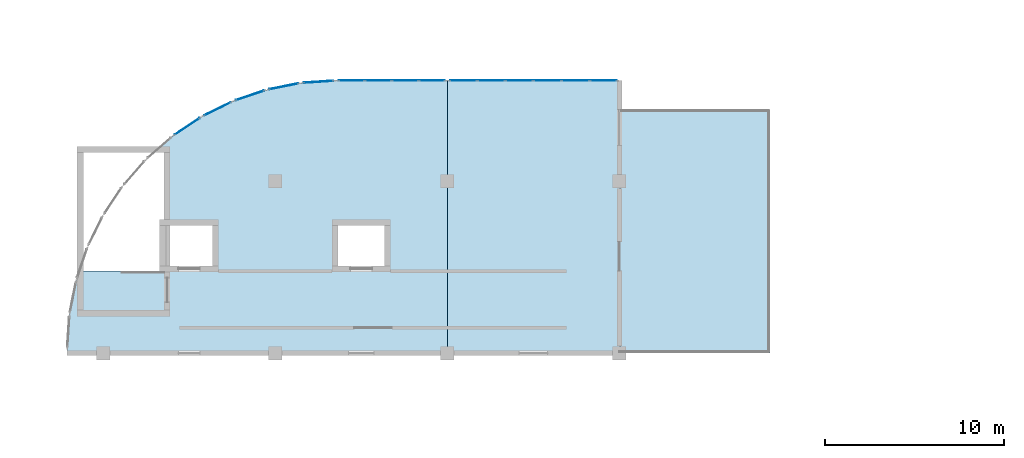
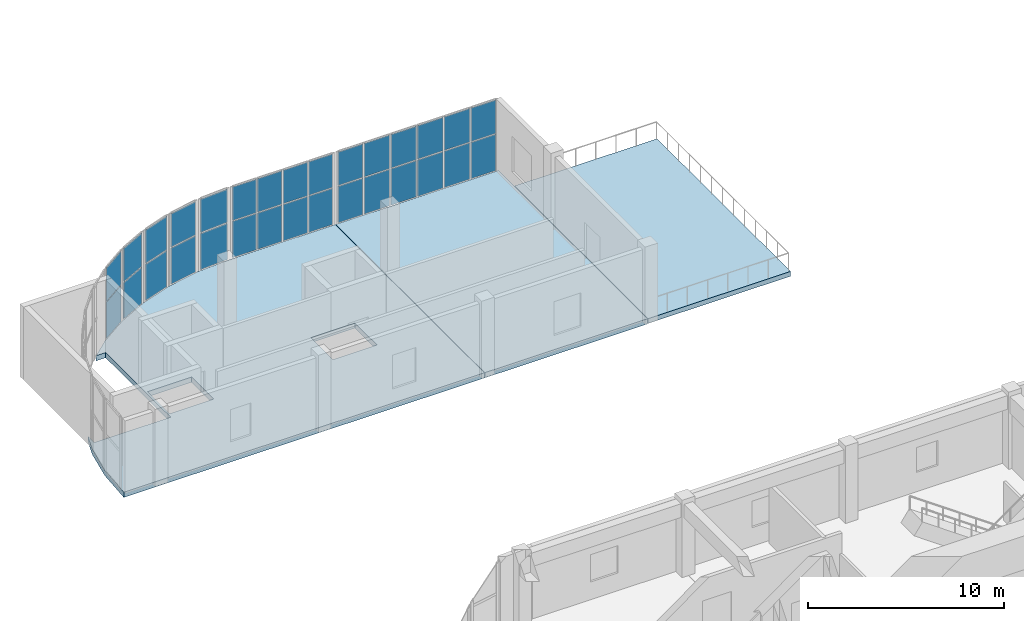
# One storey, part 19 of 28: 30 plates, 3 slabs, 7 elements without a shape of their own.
"""IFC4 building model written with IfcOpenShell, lengths in metres."""

from ifc_helpers import new_model, si_unit, direction, frame, origin, origin_2d, place, context, subcontext, project, spatial, polyline, rectangle, outline, extrude, material, layer, layer_set, type_object, element, aggregate, save


model = new_model("IFC4")

# Units and contexts
model_context = context("Model", 3, precision=1e-05, world=origin(), true_north=direction((0.0, 1.0)))
body_context = subcontext(model_context, "Body", "Model", "MODEL_VIEW")
ifc_project = project(units=[si_unit("LENGTHUNIT", "METRE"), si_unit("AREAUNIT", "SQUARE_METRE"), si_unit("VOLUMEUNIT", "CUBIC_METRE"), si_unit("PLANEANGLEUNIT", "RADIAN"), si_unit("MASSUNIT", "GRAM", prefix="KILO")], contexts=[model_context])

# Site, building, storey
site_placement = place(None, origin())
site = spatial("IfcSite", under=ifc_project, at=site_placement, CompositionType="ELEMENT")
building_placement = place(site_placement, origin())
building = spatial("IfcBuilding", under=site, at=building_placement, Name="Cendralis Terraced Arcade", CompositionType="ELEMENT")
storey_placement = place(building_placement, frame((0.0, 0.0, 24.60009765625)))
storey = spatial("IfcBuildingStorey", under=building, at=storey_placement, Name="L05", CompositionType="ELEMENT", Elevation=24.60009765625)

# Curtain wall, plates
ifc_material_1 = material(Name="Anodised aluminium EN AW-6063 T6", Category="aluminium")
ifc_layer_1 = layer(ifc_material_1, 0.179931640625, Name="CW-UNIT-A")
ifc_layer_set_1 = layer_set([ifc_layer_1], Name="Anodised aluminium EN AW-6063 T6")
curtain_wall_type_1 = type_object("IfcCurtainWallType", Name="CW-UNIT-A", PredefinedType="USERDEFINED", material=ifc_layer_set_1)
curtain_wall_1_placement = place(storey_placement, origin())
curtain_wall_1 = element("IfcCurtainWall", 1, at=curtain_wall_1_placement, inside=storey, type_object=curtain_wall_type_1, Name="Exterior Unitised Facade CW-L05-0438", ObjectType="UNITISED FACADE", PredefinedType="USERDEFINED")
ifc_material_2 = material(Name="Tempered solar control laminated glass", Category="glass")
ifc_layer_2 = layer(ifc_material_2, 0.035888671875, Name="CW-UNIT-A-PNL")
ifc_layer_set_2 = layer_set([ifc_layer_2], Name="Tempered solar control laminated glass")
plate_type_1 = type_object("IfcPlateType", Name="CW-UNIT-A-PNL", PredefinedType="CURTAIN_PANEL", material=ifc_layer_set_2)
plate_1_placement = place(storey_placement, frame((14.2841796875, 82.245361328125, 0.06494140625), z_axis=(0.0, 0.0, 1.0), x_axis=(0.831471454125, 0.555567476528, 0.0)))
plate_1 = element("IfcPlate", 2, at=plate_1_placement, type_object=plate_type_1, Name="CW-U1 panel 1.1", PredefinedType="CURTAIN_PANEL", context=body_context, shape_type="SweptSolid", body=[
    extrude(rectangle(XDim=1.652099609375, YDim=0.035888671875, at=origin_2d()), origin(), (0.0, 0.0, 1.0), 2.247802734375),
])
plate_2_placement = place(storey_placement, frame((14.2841796875, 82.245361328125, 2.37744140625), z_axis=(0.0, 0.0, 1.0), x_axis=(0.831471454125, 0.555567476528, 0.0)))
plate_2 = element("IfcPlate", 3, at=plate_2_placement, type_object=plate_type_1, Name="CW-U1 panel 1.2", PredefinedType="CURTAIN_PANEL", context=body_context, shape_type="SweptSolid", body=[
    extrude(rectangle(XDim=1.652099609375, YDim=0.035888671875, at=origin_2d()), origin(), (0.0, 0.0, 1.0), 2.0673828125),
])
aggregate(curtain_wall_1, [plate_1, plate_2])

curtain_wall_2_placement = place(storey_placement, origin())
curtain_wall_2 = element("IfcCurtainWall", 4, at=curtain_wall_2_placement, inside=storey, type_object=curtain_wall_type_1, Name="Exterior Unitised Facade CW-L05-0439", ObjectType="UNITISED FACADE", PredefinedType="USERDEFINED")
plate_3_placement = place(storey_placement, frame((15.979736328125, 83.224365234375, 0.06494140625), z_axis=(0.0, 0.0, 1.0), x_axis=(0.896871480419, 0.442291247495, 0.0)))
plate_3 = element("IfcPlate", 5, at=plate_3_placement, type_object=plate_type_1, Name="CW-U1 panel 1.1", PredefinedType="CURTAIN_PANEL", context=body_context, shape_type="SweptSolid", body=[
    extrude(rectangle(XDim=1.652099609375, YDim=0.035888671875, at=origin_2d()), origin(), (0.0, 0.0, 1.0), 2.247802734375),
])
plate_4_placement = place(storey_placement, frame((15.979736328125, 83.224365234375, 2.37744140625), z_axis=(0.0, 0.0, 1.0), x_axis=(0.896871480419, 0.442291247495, 0.0)))
plate_4 = element("IfcPlate", 6, at=plate_4_placement, type_object=plate_type_1, Name="CW-U1 panel 1.2", PredefinedType="CURTAIN_PANEL", context=body_context, shape_type="SweptSolid", body=[
    extrude(rectangle(XDim=1.652099609375, YDim=0.035888671875, at=origin_2d()), origin(), (0.0, 0.0, 1.0), 2.0673828125),
])
aggregate(curtain_wall_2, [plate_3, plate_4])

curtain_wall_3_placement = place(storey_placement, origin())
curtain_wall_3 = element("IfcCurtainWall", 7, at=curtain_wall_3_placement, inside=storey, type_object=curtain_wall_type_1, Name="Exterior Unitised Facade CW-L05-0440", ObjectType="UNITISED FACADE", PredefinedType="USERDEFINED")
plate_5_placement = place(storey_placement, frame((17.788818359375, 83.9736328125, 0.06494140625), z_axis=(0.0, 0.0, 1.0), x_axis=(0.946923811316, 0.321458077458, 0.0)))
plate_5 = element("IfcPlate", 8, at=plate_5_placement, type_object=plate_type_1, Name="CW-U1 panel 1.1", PredefinedType="CURTAIN_PANEL", context=body_context, shape_type="SweptSolid", body=[
    extrude(rectangle(XDim=1.652099609375, YDim=0.035888671875, at=origin_2d()), origin(), (0.0, 0.0, 1.0), 2.247802734375),
])
plate_6_placement = place(storey_placement, frame((17.788818359375, 83.9736328125, 2.37744140625), z_axis=(0.0, 0.0, 1.0), x_axis=(0.946923811316, 0.321458077458, 0.0)))
plate_6 = element("IfcPlate", 9, at=plate_6_placement, type_object=plate_type_1, Name="CW-U1 panel 1.2", PredefinedType="CURTAIN_PANEL", context=body_context, shape_type="SweptSolid", body=[
    extrude(rectangle(XDim=1.652099609375, YDim=0.035888671875, at=origin_2d()), origin(), (0.0, 0.0, 1.0), 2.0673828125),
])
aggregate(curtain_wall_3, [plate_5, plate_6])

curtain_wall_4_placement = place(storey_placement, origin())
curtain_wall_4 = element("IfcCurtainWall", 10, at=curtain_wall_4_placement, inside=storey, type_object=curtain_wall_type_1, Name="Exterior Unitised Facade CW-L05-0441", ObjectType="UNITISED FACADE", PredefinedType="USERDEFINED")
plate_7_placement = place(storey_placement, frame((19.679931640625, 84.480224609375, 0.06494140625), z_axis=(0.0, 0.0, 1.0), x_axis=(0.980791618721, 0.195058454434, 0.0)))
plate_7 = element("IfcPlate", 11, at=plate_7_placement, type_object=plate_type_1, Name="CW-U1 panel 1.1", PredefinedType="CURTAIN_PANEL", context=body_context, shape_type="SweptSolid", body=[
    extrude(rectangle(XDim=1.652099609375, YDim=0.035888671875, at=origin_2d()), origin(), (0.0, 0.0, 1.0), 2.247802734375),
])
plate_8_placement = place(storey_placement, frame((19.679931640625, 84.480224609375, 2.37744140625), z_axis=(0.0, 0.0, 1.0), x_axis=(0.980791618721, 0.195058454434, 0.0)))
plate_8 = element("IfcPlate", 12, at=plate_8_placement, type_object=plate_type_1, Name="CW-U1 panel 1.2", PredefinedType="CURTAIN_PANEL", context=body_context, shape_type="SweptSolid", body=[
    extrude(rectangle(XDim=1.652099609375, YDim=0.035888671875, at=origin_2d()), origin(), (0.0, 0.0, 1.0), 2.0673828125),
])
aggregate(curtain_wall_4, [plate_7, plate_8])

curtain_wall_5_placement = place(storey_placement, origin())
curtain_wall_5 = element("IfcCurtainWall", 13, at=curtain_wall_5_placement, inside=storey, type_object=curtain_wall_type_1, Name="Exterior Unitised Facade CW-L05-0442", ObjectType="UNITISED FACADE", PredefinedType="USERDEFINED")
plate_9_placement = place(storey_placement, frame((21.62109375, 84.73583984375, 0.06494140625), z_axis=(0.0, 0.0, 1.0), x_axis=(0.997860971336, 0.065371873798, 0.0)))
plate_9 = element("IfcPlate", 14, at=plate_9_placement, type_object=plate_type_1, Name="CW-U1 panel 1.1", PredefinedType="CURTAIN_PANEL", context=body_context, shape_type="SweptSolid", body=[
    extrude(rectangle(XDim=1.652099609375, YDim=0.035888671875, at=origin_2d()), origin(), (0.0, 0.0, 1.0), 2.247802734375),
])
plate_10_placement = place(storey_placement, frame((21.62109375, 84.73583984375, 2.37744140625), z_axis=(0.0, 0.0, 1.0), x_axis=(0.997860971336, 0.065371873798, 0.0)))
plate_10 = element("IfcPlate", 15, at=plate_10_placement, type_object=plate_type_1, Name="CW-U1 panel 1.2", PredefinedType="CURTAIN_PANEL", context=body_context, shape_type="SweptSolid", body=[
    extrude(rectangle(XDim=1.652099609375, YDim=0.035888671875, at=origin_2d()), origin(), (0.0, 0.0, 1.0), 2.0673828125),
])
aggregate(curtain_wall_5, [plate_9, plate_10])

ifc_layer_3 = layer(ifc_material_1, 0.159912109375, Name="CW-UNIT-B")
ifc_layer_set_3 = layer_set([ifc_layer_3], Name="Anodised aluminium EN AW-6063 T6")
curtain_wall_type_2 = type_object("IfcCurtainWallType", Name="CW-UNIT-B", PredefinedType="USERDEFINED", material=ifc_layer_set_3)
curtain_wall_6_placement = place(storey_placement, origin())
curtain_wall_6 = element("IfcCurtainWall", 16, at=curtain_wall_6_placement, inside=storey, type_object=curtain_wall_type_2, Name="Exterior Unitised Facade CW-L05-0443", ObjectType="UNITISED FACADE", PredefinedType="USERDEFINED")
ifc_layer_4 = layer(ifc_material_2, 0.031982421875, Name="CW-UNIT-B-PNL")
ifc_layer_set_4 = layer_set([ifc_layer_4], Name="Tempered solar control laminated glass")
plate_type_2 = type_object("IfcPlateType", Name="CW-UNIT-B-PNL", PredefinedType="CURTAIN_PANEL", material=ifc_layer_set_4)
plate_11_placement = place(storey_placement, frame((23.458740234375, 84.800048828125, 0.06005859375), z_axis=(0.0, 0.0, 1.0), x_axis=(1.0, 0.0, 0.0)))
plate_11 = element("IfcPlate", 17, at=plate_11_placement, type_object=plate_type_2, Name="CW-U2 panel 1.1", PredefinedType="CURTAIN_PANEL", context=body_context, shape_type="SweptSolid", body=[
    extrude(rectangle(XDim=1.407470703125, YDim=0.031982421875, at=origin_2d()), origin(), (0.0, 0.0, 1.0), 2.255126953125),
])
plate_12_placement = place(storey_placement, frame((23.458740234375, 84.800048828125, 2.375244140625), z_axis=(0.0, 0.0, 1.0), x_axis=(1.0, 0.0, 0.0)))
plate_12 = element("IfcPlate", 18, at=plate_12_placement, type_object=plate_type_2, Name="CW-U2 panel 1.2", PredefinedType="CURTAIN_PANEL", context=body_context, shape_type="SweptSolid", body=[
    extrude(rectangle(XDim=1.407470703125, YDim=0.031982421875, at=origin_2d()), origin(), (0.0, 0.0, 1.0), 2.07470703125),
])
plate_13_placement = place(storey_placement, frame((24.947509765625, 84.800048828125, 0.06005859375), z_axis=(0.0, 0.0, 1.0), x_axis=(1.0, 0.0, 0.0)))
plate_13 = element("IfcPlate", 19, at=plate_13_placement, type_object=plate_type_2, Name="CW-U2 panel 2.1", PredefinedType="CURTAIN_PANEL", context=body_context, shape_type="SweptSolid", body=[
    extrude(rectangle(XDim=1.43994140625, YDim=0.031982421875, at=origin_2d()), origin(), (0.0, 0.0, 1.0), 2.255126953125),
])
plate_14_placement = place(storey_placement, frame((24.947509765625, 84.800048828125, 2.375244140625), z_axis=(0.0, 0.0, 1.0), x_axis=(1.0, 0.0, 0.0)))
plate_14 = element("IfcPlate", 20, at=plate_14_placement, type_object=plate_type_2, Name="CW-U2 panel 2.2", PredefinedType="CURTAIN_PANEL", context=body_context, shape_type="SweptSolid", body=[
    extrude(rectangle(XDim=1.43994140625, YDim=0.031982421875, at=origin_2d()), origin(), (0.0, 0.0, 1.0), 2.07470703125),
])
plate_15_placement = place(storey_placement, frame((26.452392578125, 84.800048828125, 0.06005859375), z_axis=(0.0, 0.0, 1.0), x_axis=(1.0, 0.0, 0.0)))
plate_15 = element("IfcPlate", 21, at=plate_15_placement, type_object=plate_type_2, Name="CW-U2 panel 3.1", PredefinedType="CURTAIN_PANEL", context=body_context, shape_type="SweptSolid", body=[
    extrude(rectangle(XDim=1.43994140625, YDim=0.031982421875, at=origin_2d()), origin(), (0.0, 0.0, 1.0), 2.255126953125),
])
plate_16_placement = place(storey_placement, frame((26.452392578125, 84.800048828125, 2.375244140625), z_axis=(0.0, 0.0, 1.0), x_axis=(1.0, 0.0, 0.0)))
plate_16 = element("IfcPlate", 22, at=plate_16_placement, type_object=plate_type_2, Name="CW-U2 panel 3.2", PredefinedType="CURTAIN_PANEL", context=body_context, shape_type="SweptSolid", body=[
    extrude(rectangle(XDim=1.43994140625, YDim=0.031982421875, at=origin_2d()), origin(), (0.0, 0.0, 1.0), 2.07470703125),
])
plate_17_placement = place(storey_placement, frame((27.941162109375, 84.800048828125, 0.06005859375), z_axis=(0.0, 0.0, 1.0), x_axis=(1.0, 0.0, 0.0)))
plate_17 = element("IfcPlate", 23, at=plate_17_placement, type_object=plate_type_2, Name="CW-U2 panel 4.1", PredefinedType="CURTAIN_PANEL", context=body_context, shape_type="SweptSolid", body=[
    extrude(rectangle(XDim=1.407470703125, YDim=0.031982421875, at=origin_2d()), origin(), (0.0, 0.0, 1.0), 2.255126953125),
])
plate_18_placement = place(storey_placement, frame((27.941162109375, 84.800048828125, 2.375244140625), z_axis=(0.0, 0.0, 1.0), x_axis=(1.0, 0.0, 0.0)))
plate_18 = element("IfcPlate", 24, at=plate_18_placement, type_object=plate_type_2, Name="CW-U2 panel 4.2", PredefinedType="CURTAIN_PANEL", context=body_context, shape_type="SweptSolid", body=[
    extrude(rectangle(XDim=1.407470703125, YDim=0.031982421875, at=origin_2d()), origin(), (0.0, 0.0, 1.0), 2.07470703125),
])
aggregate(curtain_wall_6, [plate_11, plate_12, plate_13, plate_14, plate_15, plate_16, plate_17, plate_18])

curtain_wall_7_placement = place(storey_placement, origin())
curtain_wall_7 = element("IfcCurtainWall", 25, at=curtain_wall_7_placement, inside=storey, type_object=curtain_wall_type_2, Name="Exterior Unitised Facade CW-L05-0444", ObjectType="UNITISED FACADE", PredefinedType="USERDEFINED")
plate_19_placement = place(storey_placement, frame((29.691162109375, 84.800048828125, 0.06005859375), z_axis=(0.0, 0.0, 1.0), x_axis=(1.0, 0.0, 0.0)))
plate_19 = element("IfcPlate", 26, at=plate_19_placement, type_object=plate_type_2, Name="CW-U2 panel 1.1", PredefinedType="CURTAIN_PANEL", context=body_context, shape_type="SweptSolid", body=[
    extrude(rectangle(XDim=1.472412109375, YDim=0.031982421875, at=origin_2d()), origin(), (0.0, 0.0, 1.0), 2.255126953125),
])
plate_20_placement = place(storey_placement, frame((29.691162109375, 84.800048828125, 2.375244140625), z_axis=(0.0, 0.0, 1.0), x_axis=(1.0, 0.0, 0.0)))
plate_20 = element("IfcPlate", 27, at=plate_20_placement, type_object=plate_type_2, Name="CW-U2 panel 1.2", PredefinedType="CURTAIN_PANEL", context=body_context, shape_type="SweptSolid", body=[
    extrude(rectangle(XDim=1.472412109375, YDim=0.031982421875, at=origin_2d()), origin(), (0.0, 0.0, 1.0), 2.07470703125),
])
plate_21_placement = place(storey_placement, frame((31.2451171875, 84.800048828125, 0.06005859375), z_axis=(0.0, 0.0, 1.0), x_axis=(1.0, 0.0, 0.0)))
plate_21 = element("IfcPlate", 28, at=plate_21_placement, type_object=plate_type_2, Name="CW-U2 panel 2.1", PredefinedType="CURTAIN_PANEL", context=body_context, shape_type="SweptSolid", body=[
    extrude(rectangle(XDim=1.5048828125, YDim=0.031982421875, at=origin_2d()), origin(), (0.0, 0.0, 1.0), 2.255126953125),
])
plate_22_placement = place(storey_placement, frame((31.2451171875, 84.800048828125, 2.375244140625), z_axis=(0.0, 0.0, 1.0), x_axis=(1.0, 0.0, 0.0)))
plate_22 = element("IfcPlate", 29, at=plate_22_placement, type_object=plate_type_2, Name="CW-U2 panel 2.2", PredefinedType="CURTAIN_PANEL", context=body_context, shape_type="SweptSolid", body=[
    extrude(rectangle(XDim=1.5048828125, YDim=0.031982421875, at=origin_2d()), origin(), (0.0, 0.0, 1.0), 2.07470703125),
])
plate_23_placement = place(storey_placement, frame((32.81494140625, 84.800048828125, 0.06005859375), z_axis=(0.0, 0.0, 1.0), x_axis=(1.0, 0.0, 0.0)))
plate_23 = element("IfcPlate", 30, at=plate_23_placement, type_object=plate_type_2, Name="CW-U2 panel 3.1", PredefinedType="CURTAIN_PANEL", context=body_context, shape_type="SweptSolid", body=[
    extrude(rectangle(XDim=1.5048828125, YDim=0.031982421875, at=origin_2d()), origin(), (0.0, 0.0, 1.0), 2.255126953125),
])
plate_24_placement = place(storey_placement, frame((32.81494140625, 84.800048828125, 2.375244140625), z_axis=(0.0, 0.0, 1.0), x_axis=(1.0, 0.0, 0.0)))
plate_24 = element("IfcPlate", 31, at=plate_24_placement, type_object=plate_type_2, Name="CW-U2 panel 3.2", PredefinedType="CURTAIN_PANEL", context=body_context, shape_type="SweptSolid", body=[
    extrude(rectangle(XDim=1.5048828125, YDim=0.031982421875, at=origin_2d()), origin(), (0.0, 0.0, 1.0), 2.07470703125),
])
plate_25_placement = place(storey_placement, frame((34.385009765625, 84.800048828125, 0.06005859375), z_axis=(0.0, 0.0, 1.0), x_axis=(1.0, 0.0, 0.0)))
plate_25 = element("IfcPlate", 32, at=plate_25_placement, type_object=plate_type_2, Name="CW-U2 panel 4.1", PredefinedType="CURTAIN_PANEL", context=body_context, shape_type="SweptSolid", body=[
    extrude(rectangle(XDim=1.5048828125, YDim=0.031982421875, at=origin_2d()), origin(), (0.0, 0.0, 1.0), 2.255126953125),
])
plate_26_placement = place(storey_placement, frame((34.385009765625, 84.800048828125, 2.375244140625), z_axis=(0.0, 0.0, 1.0), x_axis=(1.0, 0.0, 0.0)))
plate_26 = element("IfcPlate", 33, at=plate_26_placement, type_object=plate_type_2, Name="CW-U2 panel 4.2", PredefinedType="CURTAIN_PANEL", context=body_context, shape_type="SweptSolid", body=[
    extrude(rectangle(XDim=1.5048828125, YDim=0.031982421875, at=origin_2d()), origin(), (0.0, 0.0, 1.0), 2.07470703125),
])
plate_27_placement = place(storey_placement, frame((35.955078125, 84.800048828125, 0.06005859375), z_axis=(0.0, 0.0, 1.0), x_axis=(1.0, 0.0, 0.0)))
plate_27 = element("IfcPlate", 34, at=plate_27_placement, type_object=plate_type_2, Name="CW-U2 panel 5.1", PredefinedType="CURTAIN_PANEL", context=body_context, shape_type="SweptSolid", body=[
    extrude(rectangle(XDim=1.5048828125, YDim=0.031982421875, at=origin_2d()), origin(), (0.0, 0.0, 1.0), 2.255126953125),
])
plate_28_placement = place(storey_placement, frame((35.955078125, 84.800048828125, 2.375244140625), z_axis=(0.0, 0.0, 1.0), x_axis=(1.0, 0.0, 0.0)))
plate_28 = element("IfcPlate", 35, at=plate_28_placement, type_object=plate_type_2, Name="CW-U2 panel 5.2", PredefinedType="CURTAIN_PANEL", context=body_context, shape_type="SweptSolid", body=[
    extrude(rectangle(XDim=1.5048828125, YDim=0.031982421875, at=origin_2d()), origin(), (0.0, 0.0, 1.0), 2.07470703125),
])
plate_29_placement = place(storey_placement, frame((37.5087890625, 84.800048828125, 0.06005859375), z_axis=(0.0, 0.0, 1.0), x_axis=(1.0, 0.0, 0.0)))
plate_29 = element("IfcPlate", 36, at=plate_29_placement, type_object=plate_type_2, Name="CW-U2 panel 6.1", PredefinedType="CURTAIN_PANEL", context=body_context, shape_type="SweptSolid", body=[
    extrude(rectangle(XDim=1.472412109375, YDim=0.031982421875, at=origin_2d()), origin(), (0.0, 0.0, 1.0), 2.255126953125),
])
plate_30_placement = place(storey_placement, frame((37.5087890625, 84.800048828125, 2.375244140625), z_axis=(0.0, 0.0, 1.0), x_axis=(1.0, 0.0, 0.0)))
plate_30 = element("IfcPlate", 37, at=plate_30_placement, type_object=plate_type_2, Name="CW-U2 panel 6.2", PredefinedType="CURTAIN_PANEL", context=body_context, shape_type="SweptSolid", body=[
    extrude(rectangle(XDim=1.472412109375, YDim=0.031982421875, at=origin_2d()), origin(), (0.0, 0.0, 1.0), 2.07470703125),
])
aggregate(curtain_wall_7, [plate_19, plate_20, plate_21, plate_22, plate_23, plate_24, plate_25, plate_26, plate_27, plate_28, plate_29, plate_30])

# Slabs
ifc_material_3 = material(Name="Concrete f'c 35 MPa", Category="concrete")
ifc_layer_5 = layer(ifc_material_3, 0.320068359375, Name="SLB-L05-320")
ifc_layer_set_5 = layer_set([ifc_layer_5], Name="Concrete f'c 35 MPa")
slab_type_1 = type_object("IfcSlabType", Name="SLB-L05-320", PredefinedType="FLOOR", material=ifc_layer_set_5)
slab_1_placement = place(storey_placement, frame((0.0, 0.0, -0.320068359375)))
element("IfcSlab", 38, at=slab_1_placement, inside=storey, type_object=slab_type_1, Name="Reinforced Concrete Floor Slab SLB-L05-V3-W1-1", PredefinedType="FLOOR", context=body_context, shape_type="SweptSolid", body=[
    extrude(outline(polyline([(8.111083984375, 73.682373046875), (8.5, 74.827880859375), (8.5, 74.179931640625), (13.0, 74.179931640625), (13.0, 80.800048828125), (12.44189453125, 80.800048828125), (13.468505859375, 81.7001953125), (15.10009765625, 82.790283203125), (16.859619140625, 83.658203125), (18.7177734375, 84.288818359375), (20.64208984375, 84.671630859375), (22.60009765625, 84.800048828125), (28.800048828125, 84.800048828125), (28.800048828125, 69.60009765625), (7.60009765625, 69.60009765625), (7.728271484375, 71.7578125), (8.111083984375, 73.682373046875)]), holes=[polyline([(13.10009765625, 76.72509765625), (13.10009765625, 74.47509765625), (15.699951171875, 74.47509765625), (15.699951171875, 76.72509765625), (13.10009765625, 76.72509765625)]), polyline([(22.699951171875, 76.72509765625), (22.699951171875, 74.47509765625), (25.300048828125, 74.47509765625), (25.300048828125, 76.72509765625), (22.699951171875, 76.72509765625)])]), origin(), (0.0, 0.0, 1.0), 0.320068359375),
])
slab_2_placement = place(storey_placement, frame((0.0, 0.0, -0.320068359375)))
element("IfcSlab", 39, at=slab_2_placement, inside=storey, type_object=slab_type_1, Name="Reinforced Concrete Floor Slab SLB-L05-V3-W2-1", PredefinedType="FLOOR", context=body_context, shape_type="SweptSolid", body=[
    extrude(outline(polyline([(28.820068359375, 69.60009765625), (28.820068359375, 84.800048828125), (38.39990234375, 84.800048828125), (38.39990234375, 69.60009765625), (28.820068359375, 69.60009765625)])), origin(), (0.0, 0.0, 1.0), 0.320068359375),
])
ifc_layer_6 = layer(ifc_material_3, 0.294921875, Name="SLB-TER-265")
ifc_layer_set_6 = layer_set([ifc_layer_6], Name="Concrete f'c 35 MPa")
slab_type_2 = type_object("IfcSlabType", Name="SLB-TER-265", PredefinedType="FLOOR", material=ifc_layer_set_6)
slab_3_placement = place(storey_placement, frame((0.0, 0.0, -0.295166015625)))
element("IfcSlab", 40, at=slab_3_placement, inside=storey, type_object=slab_type_2, Name="Planted North Pavilion Terrace L05", PredefinedType="FLOOR", context=body_context, shape_type="SweptSolid", body=[
    extrude(outline(polyline([(46.800048828125, 83.199951171875), (46.800048828125, 69.60009765625), (38.419921875, 69.60009765625), (38.419921875, 83.199951171875), (46.800048828125, 83.199951171875)])), origin(), (0.0, 0.0, 1.0), 0.295166015625),
])

save(model, "model.ifc")
